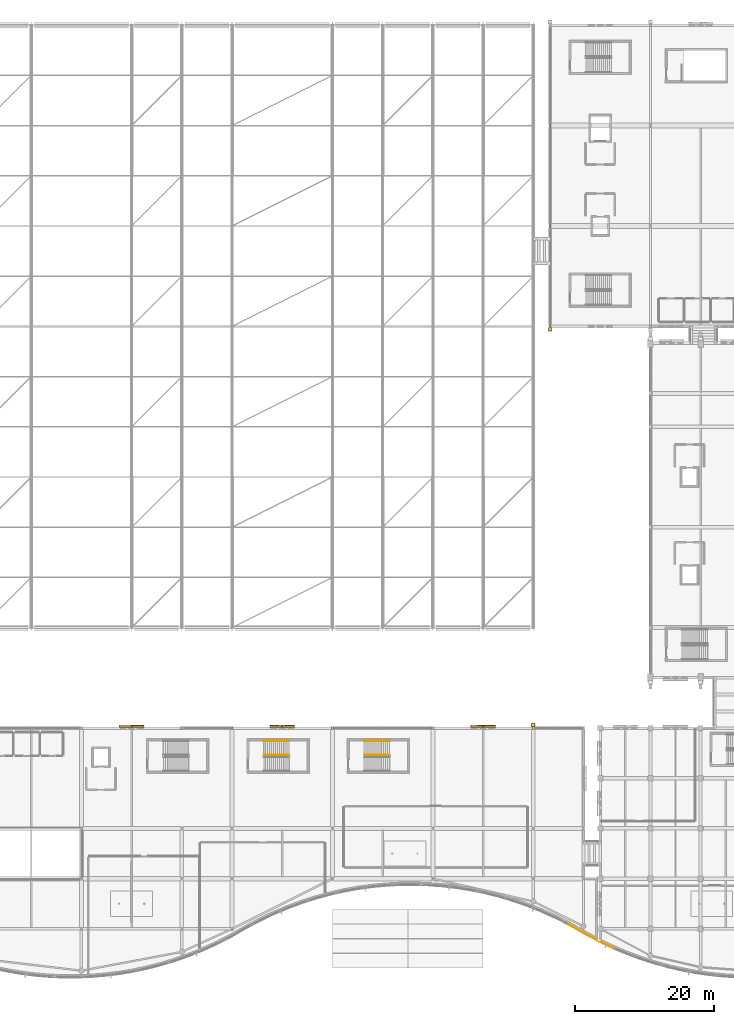
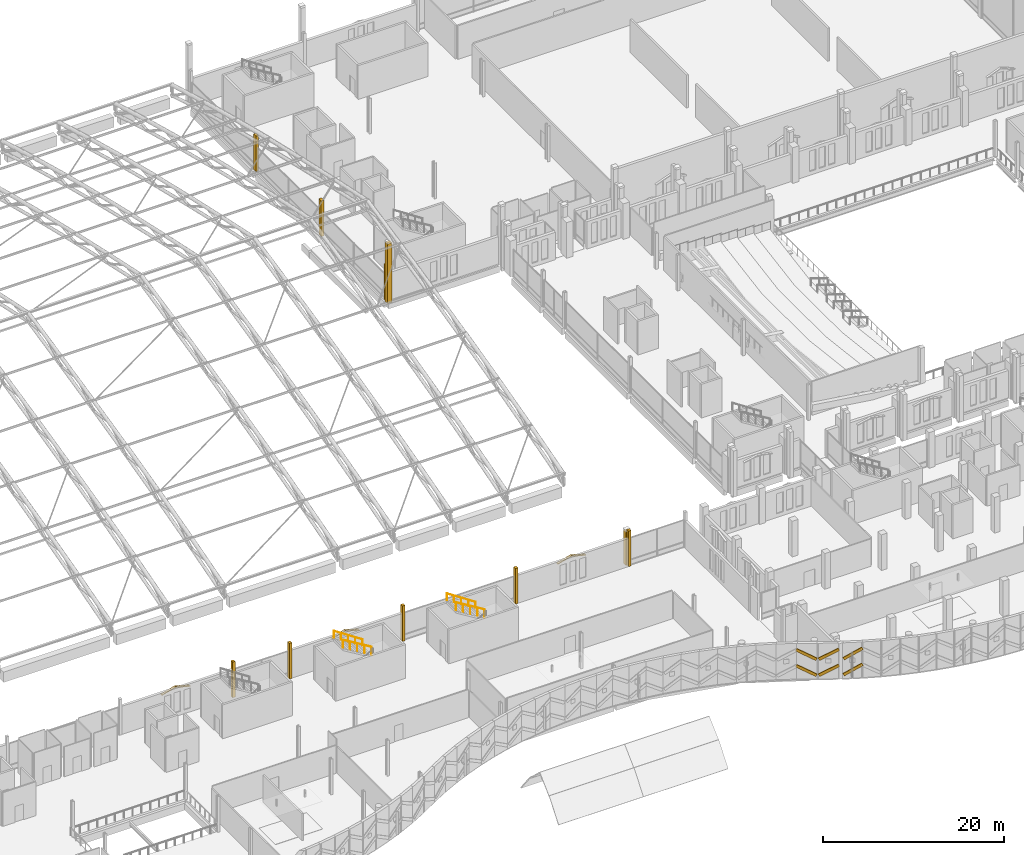
# One storey, part 179 of 193: 22 coverings, 4 railings.
"""IFC4 building model written with IfcOpenShell, lengths in metres."""

from ifc_helpers import new_model, si_unit, direction, frame, origin, origin_2d, place, context, subcontext, project, spatial, polyline, circle, outline, extrude, material, layer, layer_set, type_object, element, save


model = new_model("IFC4")

# Units and contexts
model_context = context("Model", 3, precision=1e-05, world=origin(), true_north=direction((0.0, 1.0)))
body_context = subcontext(model_context, "Body", "Model", "MODEL_VIEW")
ifc_project = project(units=[si_unit("LENGTHUNIT", "METRE"), si_unit("AREAUNIT", "SQUARE_METRE"), si_unit("VOLUMEUNIT", "CUBIC_METRE"), si_unit("PLANEANGLEUNIT", "RADIAN"), si_unit("MASSUNIT", "GRAM", prefix="KILO")], contexts=[model_context])

# Site, building, storey
site_placement = place(None, origin())
site = spatial("IfcSite", under=ifc_project, at=site_placement, CompositionType="ELEMENT")
building_placement = place(site_placement, origin())
building = spatial("IfcBuilding", under=site, at=building_placement, Name="Cendralis Lancet Convention Centre", CompositionType="ELEMENT")
storey_placement = place(building_placement, frame((0.0, 0.0, 10.199951171875)))
storey = spatial("IfcBuildingStorey", under=building, at=storey_placement, Name="L02", CompositionType="ELEMENT", Elevation=10.199951171875)

# Coverings
ifc_material_1 = material(Name="Warm buff sandstone chevron cassette", Category="masonry")
ifc_layer_1 = layer(ifc_material_1, 0.06005859375, Name="Warm buff sandstone chevron cassette")
ifc_layer_set_1 = layer_set([ifc_layer_1], Name="Warm buff sandstone chevron cassette")
covering_type_1 = type_object("IfcCoveringType", Name="ARC-CV-CLAD1", PredefinedType="CLADDING", material=ifc_layer_set_1)
covering_1_placement = place(storey_placement, frame((127.493896484375, 7.744873046875, 2.0), z_axis=(0.43519160161, -0.24701564122, 0.86578954884), x_axis=(0.752668265034, -0.427880952395, -0.500408206756)))
element("IfcCovering", 1, at=covering_1_placement, inside=storey, type_object=covering_type_1, Name="L02 Diagonal Stone Chevron Relief CL-ST1 #0381", PredefinedType="CLADDING", context=body_context, shape_type="SweptSolid", body=[
    extrude(outline(polyline([(0.0, 0.0), (2.597884719698433, -4.85722573273506e-17), (2.5979129642696104, 0.11010524008823802), (-0.00015551232946595106, 0.10998461911392274), (0.0, 0.0)])), origin(), (0.0, 0.0, -1.0), 0.360107421875),
])
covering_2_placement = place(storey_placement, frame((129.523681640625, 6.592041015625, 0.699951171875), z_axis=(-0.443383844109, 0.240726076979, 0.8634012524), x_axis=(0.758529479804, -0.412425534048, 0.504517796647)))
element("IfcCovering", 2, at=covering_2_placement, inside=storey, type_object=covering_type_1, Name="L02 Diagonal Stone Chevron Relief CL-ST1 #0387", PredefinedType="CLADDING", context=body_context, shape_type="SweptSolid", body=[
    extrude(outline(polyline([(0.0, 0.0), (2.576814607462595, -5.898059818321144e-17), (2.57675682588909, 0.11000992383021563), (-5.7781573504639416e-05, 0.11000992383021567), (0.0, 0.0)])), origin(), (0.0, 0.0, -1.0), 0.360107421875),
])
covering_3_placement = place(storey_placement, frame((131.922607421875, 5.303466796875, 0.699951171875), z_axis=(-0.475722680039, 0.225588396185, 0.85017516266), x_axis=(0.768146115282, -0.364347848476, 0.526499943863)))
element("IfcCovering", 3, at=covering_3_placement, inside=storey, type_object=covering_type_1, Name="L02 Diagonal Stone Chevron Relief CL-ST1 #0393", PredefinedType="CLADDING", context=body_context, shape_type="SweptSolid", body=[
    extrude(outline(polyline([(0.0, 0.0), (2.469228806721707, -3.105561597813167e-17), (2.46921968219033, 0.10997119228407112), (-9.124531377482925e-06, 0.1099711922840711), (0.0, 0.0)])), origin(), (0.0, 0.0, -1.0), 0.360107421875),
])
covering_4_placement = place(storey_placement, origin())
element("IfcCovering", 4, at=covering_4_placement, inside=storey, type_object=covering_type_1, Name="Gothic Stepped Stone Buttress Shaft #0051", PredefinedType="CLADDING", context=body_context, shape_type="SweptSolid", body=[
    extrude(outline(polyline([(124.52001953125, 92.919921875), (125.080078125, 92.919921875), (125.080078125, 93.449951171875), (124.52001953125, 93.449951171875), (124.52001953125, 92.919921875)])), origin(), (0.0, 0.0, 1.0), 8.0),
])
for number, where, z_axis, x_axis, name in (
    (5, (63.0, 36.419921875, 3.27001953125), (-0.256530206317, 0.0, 0.966536214141), (0.0, -1.0, 0.0), "L02 Gothic Pointed Lancet Hood-Mould #0265L"),
    (6, (64.81005859375, 36.419921875, 3.7451171875), (0.256530206317, 0.0, 0.966536214141), (0.0, -1.0, 0.0), "L02 Gothic Pointed Lancet Hood-Mould #0266R"),
):
    element("IfcCovering", number, at=place(storey_placement, frame(where, z_axis=z_axis, x_axis=x_axis)), inside=storey, type_object=covering_type_1, Name=name, PredefinedType="CLADDING", context=body_context, shape_type="SweptSolid", body=[
        extrude(outline(polyline([(0.0, 0.0), (0.284912109375, 0.0), (0.284912109375, 1.8520144784126613), (0.0, 1.8520144784126613), (0.0, 0.0)])), origin(), (0.0, 0.0, -1.0), 0.090087890625),
    ])
for number, where, z_axis, x_axis, name in (
    (7, (84.639892578125, 36.419921875, 3.27001953125), (-0.262000790167, 0.0, 0.965067658743), (0.0, -1.0, 0.0), "L02 Gothic Pointed Lancet Hood-Mould #0267L"),
    (8, (86.409912109375, 36.419921875, 3.7451171875), (0.262000790167, 0.0, 0.965067658743), (0.0, -1.0, 0.0), "L02 Gothic Pointed Lancet Hood-Mould #0268R"),
):
    element("IfcCovering", number, at=place(storey_placement, frame(where, z_axis=z_axis, x_axis=x_axis)), inside=storey, type_object=covering_type_1, Name=name, PredefinedType="CLADDING", context=body_context, shape_type="SweptSolid", body=[
        extrude(outline(polyline([(0.0, 0.0), (0.284912109375, 0.0), (0.284912109375, 1.8133443641443958), (0.0, 1.8133443641443958), (0.0, 0.0)])), origin(), (0.0, 0.0, -1.0), 0.090087890625),
    ])
for number, where, z_axis, x_axis, name in (
    (9, (113.39990234375, 36.419921875, 3.27001953125), (-0.256530206317, 0.0, 0.966536214141), (0.0, -1.0, 0.0), "L02 Gothic Pointed Lancet Hood-Mould #0269L"),
    (10, (115.2099609375, 36.419921875, 3.7451171875), (0.256530206317, 0.0, 0.966536214141), (0.0, -1.0, 0.0), "L02 Gothic Pointed Lancet Hood-Mould #0270R"),
):
    element("IfcCovering", number, at=place(storey_placement, frame(where, z_axis=z_axis, x_axis=x_axis)), inside=storey, type_object=covering_type_1, Name=name, PredefinedType="CLADDING", context=body_context, shape_type="SweptSolid", body=[
        extrude(outline(polyline([(0.0, 0.0), (0.284912109375, 0.0), (0.284912109375, 1.8520144784126613), (0.0, 1.8520144784126613), (0.0, 0.0)])), origin(), (0.0, 0.0, -1.0), 0.090087890625),
    ])
covering_5_placement = place(storey_placement, origin())
element("IfcCovering", 11, at=covering_5_placement, inside=storey, type_object=covering_type_1, Name="Gothic Stepped Stone Buttress Shaft #0076", PredefinedType="CLADDING", context=body_context, shape_type="SweptSolid", body=[
    extrude(outline(polyline([(122.679931640625, 36.659912109375), (122.1201171875, 36.659912109375), (122.1201171875, 36.1298828125), (122.679931640625, 36.1298828125), (122.679931640625, 36.659912109375)])), origin(), (0.0, 0.0, 1.0), 4.5),
])
covering_6_placement = place(storey_placement, origin())
element("IfcCovering", 12, at=covering_6_placement, inside=storey, type_object=covering_type_1, Name="Exterior Column Stone Fire-Casing L02 #025", PredefinedType="CLADDING", context=body_context, shape_type="SweptSolid", body=[
    extrude(outline(polyline([(71.837890625, 35.80810546875), (72.162109375, 35.80810546875), (72.162109375, 36.19189453125), (71.837890625, 36.19189453125), (71.837890625, 35.80810546875)])), origin(), (0.0, 0.0, 1.0), 4.800048828125),
])
covering_7_placement = place(storey_placement, origin())
element("IfcCovering", 13, at=covering_7_placement, inside=storey, type_object=covering_type_1, Name="Exterior Column Stone Fire-Casing L02 #026", PredefinedType="CLADDING", context=body_context, shape_type="SweptSolid", body=[
    extrude(outline(polyline([(79.0380859375, 35.80810546875), (79.362060546875, 35.80810546875), (79.362060546875, 36.19189453125), (79.0380859375, 36.19189453125), (79.0380859375, 35.80810546875)])), origin(), (0.0, 0.0, 1.0), 4.800048828125),
])
covering_8_placement = place(storey_placement, origin())
element("IfcCovering", 14, at=covering_8_placement, inside=storey, type_object=covering_type_1, Name="Exterior Column Stone Fire-Casing L02 #027", PredefinedType="CLADDING", context=body_context, shape_type="SweptSolid", body=[
    extrude(outline(polyline([(93.43798828125, 35.80810546875), (93.761962890625, 35.80810546875), (93.761962890625, 36.19189453125), (93.43798828125, 36.19189453125), (93.43798828125, 35.80810546875)])), origin(), (0.0, 0.0, 1.0), 4.800048828125),
])
covering_9_placement = place(storey_placement, origin())
element("IfcCovering", 15, at=covering_9_placement, inside=storey, type_object=covering_type_1, Name="Exterior Column Stone Fire-Casing L02 #028", PredefinedType="CLADDING", context=body_context, shape_type="SweptSolid", body=[
    extrude(outline(polyline([(107.837890625, 35.80810546875), (108.162109375, 35.80810546875), (108.162109375, 36.19189453125), (107.837890625, 36.19189453125), (107.837890625, 35.80810546875)])), origin(), (0.0, 0.0, 1.0), 4.800048828125),
])
covering_10_placement = place(storey_placement, origin())
element("IfcCovering", 16, at=covering_10_placement, inside=storey, type_object=covering_type_1, Name="Exterior Column Stone Fire-Casing L02 #029", PredefinedType="CLADDING", context=body_context, shape_type="SweptSolid", body=[
    extrude(outline(polyline([(122.238037109375, 35.80810546875), (122.56201171875, 35.80810546875), (122.56201171875, 36.19189453125), (122.238037109375, 36.19189453125), (122.238037109375, 35.80810546875)])), origin(), (0.0, 0.0, 1.0), 4.800048828125),
])
covering_11_placement = place(storey_placement, origin())
element("IfcCovering", 17, at=covering_11_placement, inside=storey, type_object=covering_type_1, Name="Exterior Column Stone Fire-Casing L02 #034", PredefinedType="CLADDING", context=body_context, shape_type="SweptSolid", body=[
    extrude(outline(polyline([(124.637939453125, 93.337890625), (124.9619140625, 93.337890625), (124.9619140625, 93.862060546875), (124.637939453125, 93.862060546875), (124.637939453125, 93.337890625)])), origin(), (0.0, 0.0, 1.0), 4.800048828125),
])
covering_12_placement = place(storey_placement, origin())
element("IfcCovering", 18, at=covering_12_placement, inside=storey, type_object=covering_type_1, Name="Exterior Column Stone Fire-Casing L02 #037", PredefinedType="CLADDING", context=body_context, shape_type="SweptSolid", body=[
    extrude(outline(polyline([(124.637939453125, 107.738037109375), (124.9619140625, 107.738037109375), (124.9619140625, 108.261962890625), (124.637939453125, 108.261962890625), (124.637939453125, 107.738037109375)])), origin(), (0.0, 0.0, 1.0), 4.800048828125),
])
covering_13_placement = place(storey_placement, origin())
element("IfcCovering", 19, at=covering_13_placement, inside=storey, type_object=covering_type_1, Name="Exterior Column Stone Fire-Casing L02 #040", PredefinedType="CLADDING", context=body_context, shape_type="SweptSolid", body=[
    extrude(outline(polyline([(124.637939453125, 122.137939453125), (124.9619140625, 122.137939453125), (124.9619140625, 122.662109375), (124.637939453125, 122.662109375), (124.637939453125, 122.137939453125)])), origin(), (0.0, 0.0, 1.0), 4.800048828125),
])
ifc_material_2 = material(Name="Dark Andean slate chevron cassette", Category="masonry")
ifc_layer_2 = layer(ifc_material_2, 0.06005859375, Name="Dark Andean slate chevron cassette")
ifc_layer_set_2 = layer_set([ifc_layer_2], Name="Dark Andean slate chevron cassette")
covering_type_2 = type_object("IfcCoveringType", Name="ARC-CV-CLAD2", PredefinedType="CLADDING", material=ifc_layer_set_2)
covering_14_placement = place(storey_placement, frame((127.493896484375, 7.744873046875, 4.150146484375), z_axis=(0.43519160161, -0.24701564122, 0.86578954884), x_axis=(0.752668265034, -0.427880952395, -0.500408206756)))
element("IfcCovering", 20, at=covering_14_placement, inside=storey, type_object=covering_type_2, Name="L02 Diagonal Stone Chevron Relief CL-ST2 #0382", PredefinedType="CLADDING", context=body_context, shape_type="SweptSolid", body=[
    extrude(outline(polyline([(0.0, 0.0), (2.597884719698433, -4.85722573273506e-17), (2.5979129642696104, 0.11010524008823802), (-0.00015551232946595106, 0.10998461911392274), (0.0, 0.0)])), origin(), (0.0, 0.0, -1.0), 0.360107421875),
])
covering_15_placement = place(storey_placement, frame((129.523681640625, 6.592041015625, 2.85009765625), z_axis=(-0.443383844109, 0.240726076979, 0.8634012524), x_axis=(0.758529479804, -0.412425534048, 0.504517796647)))
element("IfcCovering", 21, at=covering_15_placement, inside=storey, type_object=covering_type_2, Name="L02 Diagonal Stone Chevron Relief CL-ST2 #0388", PredefinedType="CLADDING", context=body_context, shape_type="SweptSolid", body=[
    extrude(outline(polyline([(0.0, 0.0), (2.576814607462595, -5.898059818321144e-17), (2.57675682588909, 0.11000992383021563), (-5.7781573504639416e-05, 0.11000992383021567), (0.0, 0.0)])), origin(), (0.0, 0.0, -1.0), 0.360107421875),
])
covering_16_placement = place(storey_placement, frame((131.922607421875, 5.303466796875, 2.85009765625), z_axis=(-0.475722680039, 0.225588396185, 0.85017516266), x_axis=(0.768146115282, -0.364347848476, 0.526499943863)))
element("IfcCovering", 22, at=covering_16_placement, inside=storey, type_object=covering_type_2, Name="L02 Diagonal Stone Chevron Relief CL-ST2 #0394", PredefinedType="CLADDING", context=body_context, shape_type="SweptSolid", body=[
    extrude(outline(polyline([(0.0, 0.0), (2.469228806721707, -3.105561597813167e-17), (2.46921968219033, 0.10997119228407112), (-9.124531377482925e-06, 0.1099711922840711), (0.0, 0.0)])), origin(), (0.0, 0.0, -1.0), 0.360107421875),
])

# Railings
ifc_material_3 = material(Name="Steel S355", Category="steel")
railing_type_1 = type_object("IfcRailingType", Name="ARC-RL-CGD", PredefinedType="GUARDRAIL", material=ifc_material_3)
railing_1_placement = place(storey_placement, frame((101.7900390625, 32.1298828125, 2.571533203125)))
element("IfcRailing", 23, at=railing_1_placement, inside=storey, type_object=railing_type_1, Name="L02 ST-18 stair guard 3", PredefinedType="GUARDRAIL", context=body_context, shape_type="SweptSolid", body=[
    extrude(circle(Radius=0.02392578125, at=origin_2d()), frame((0.0, 0.0, 1.076171875), z_axis=(-0.852865859571, 0.0, 0.52213008492), x_axis=(0.0, -1.0, 0.0)), (0.0, 0.0, 1.0), 4.26806640625),
    extrude(circle(Radius=0.02099609375, at=origin_2d()), origin(), (0.0, 0.0, 1.0), 1.052001953125),
    extrude(circle(Radius=0.02099609375, at=origin_2d()), frame((-0.91015625, 0.0, 0.55712890625)), (0.0, 0.0, 1.0), 1.052001953125),
    extrude(circle(Radius=0.02099609375, at=origin_2d()), frame((-1.820068359375, 0.0, 1.1142578125)), (0.0, 0.0, 1.0), 1.052001953125),
    extrude(circle(Radius=0.02099609375, at=origin_2d()), frame((-2.72998046875, 0.0, 1.67138671875)), (0.0, 0.0, 1.0), 1.052001953125),
    extrude(circle(Radius=0.02099609375, at=origin_2d()), frame((-3.64013671875, 0.0, 2.228515625)), (0.0, 0.0, 1.0), 1.052001953125),
])
railing_2_placement = place(storey_placement, frame((87.389892578125, 32.1298828125, 2.571533203125)))
element("IfcRailing", 24, at=railing_2_placement, inside=storey, type_object=railing_type_1, Name="L02 ST-21 stair guard 3", PredefinedType="GUARDRAIL", context=body_context, shape_type="SweptSolid", body=[
    extrude(circle(Radius=0.02392578125, at=origin_2d()), frame((0.0, 0.0, 1.076171875), z_axis=(-0.852850264322, 0.0, 0.5221555579), x_axis=(0.0, -1.0, 0.0)), (0.0, 0.0, 1.0), 4.267822265625),
    extrude(circle(Radius=0.02099609375, at=origin_2d()), origin(), (0.0, 0.0, 1.0), 1.052001953125),
    extrude(circle(Radius=0.02099609375, at=origin_2d()), frame((-0.909912109375, 0.0, 0.55712890625)), (0.0, 0.0, 1.0), 1.052001953125),
    extrude(circle(Radius=0.02099609375, at=origin_2d()), frame((-1.81982421875, 0.0, 1.1142578125)), (0.0, 0.0, 1.0), 1.052001953125),
    extrude(circle(Radius=0.02099609375, at=origin_2d()), frame((-2.72998046875, 0.0, 1.67138671875)), (0.0, 0.0, 1.0), 1.052001953125),
    extrude(circle(Radius=0.02099609375, at=origin_2d()), frame((-3.639892578125, 0.0, 2.228515625)), (0.0, 0.0, 1.0), 1.052001953125),
])
railing_type_2 = type_object("IfcRailingType", Name="ARC-RL-CHR", PredefinedType="HANDRAIL", material=ifc_material_3)
railing_3_placement = place(storey_placement, frame((101.7900390625, 34.1298828125, 2.571533203125)))
element("IfcRailing", 25, at=railing_3_placement, inside=storey, type_object=railing_type_2, Name="L02 ST-18 stair handrail 2", PredefinedType="HANDRAIL", context=body_context, shape_type="SweptSolid", body=[
    extrude(circle(Radius=0.02392578125, at=origin_2d()), frame((0.0, 0.0, 0.8759765625), z_axis=(-0.83488217925, 0.0, 0.55042869363), x_axis=(0.0, -1.0, 0.0)), (0.0, 0.0, 1.0), 4.360107421875),
    extrude(circle(Radius=0.02099609375, at=origin_2d()), origin(), (0.0, 0.0, 1.0), 0.851806640625),
    extrude(circle(Radius=0.02099609375, at=origin_2d()), frame((-0.91015625, 0.0, 0.60009765625)), (0.0, 0.0, 1.0), 0.851806640625),
    extrude(circle(Radius=0.02099609375, at=origin_2d()), frame((-1.820068359375, 0.0, 1.199951171875)), (0.0, 0.0, 1.0), 0.851806640625),
    extrude(circle(Radius=0.02099609375, at=origin_2d()), frame((-2.72998046875, 0.0, 1.7998046875)), (0.0, 0.0, 1.0), 0.851806640625),
    extrude(circle(Radius=0.02099609375, at=origin_2d()), frame((-3.64013671875, 0.0, 2.39990234375)), (0.0, 0.0, 1.0), 0.851806640625),
])
railing_4_placement = place(storey_placement, frame((87.389892578125, 34.1298828125, 2.571533203125)))
element("IfcRailing", 26, at=railing_4_placement, inside=storey, type_object=railing_type_2, Name="L02 ST-21 stair handrail 2", PredefinedType="HANDRAIL", context=body_context, shape_type="SweptSolid", body=[
    extrude(circle(Radius=0.02392578125, at=origin_2d()), frame((0.0, 0.0, 0.8759765625), z_axis=(-0.834865213223, 0.0, 0.550454426587), x_axis=(0.0, -1.0, 0.0)), (0.0, 0.0, 1.0), 4.35986328125),
    extrude(circle(Radius=0.02099609375, at=origin_2d()), origin(), (0.0, 0.0, 1.0), 0.851806640625),
    extrude(circle(Radius=0.02099609375, at=origin_2d()), frame((-0.909912109375, 0.0, 0.60009765625)), (0.0, 0.0, 1.0), 0.851806640625),
    extrude(circle(Radius=0.02099609375, at=origin_2d()), frame((-1.81982421875, 0.0, 1.199951171875)), (0.0, 0.0, 1.0), 0.851806640625),
    extrude(circle(Radius=0.02099609375, at=origin_2d()), frame((-2.72998046875, 0.0, 1.7998046875)), (0.0, 0.0, 1.0), 0.851806640625),
    extrude(circle(Radius=0.02099609375, at=origin_2d()), frame((-3.639892578125, 0.0, 2.39990234375)), (0.0, 0.0, 1.0), 0.851806640625),
])

save(model, "model.ifc")
